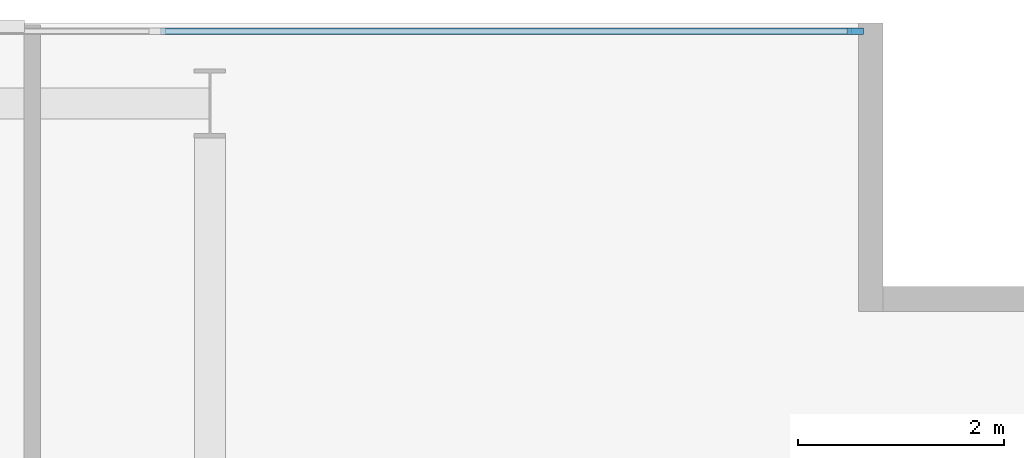
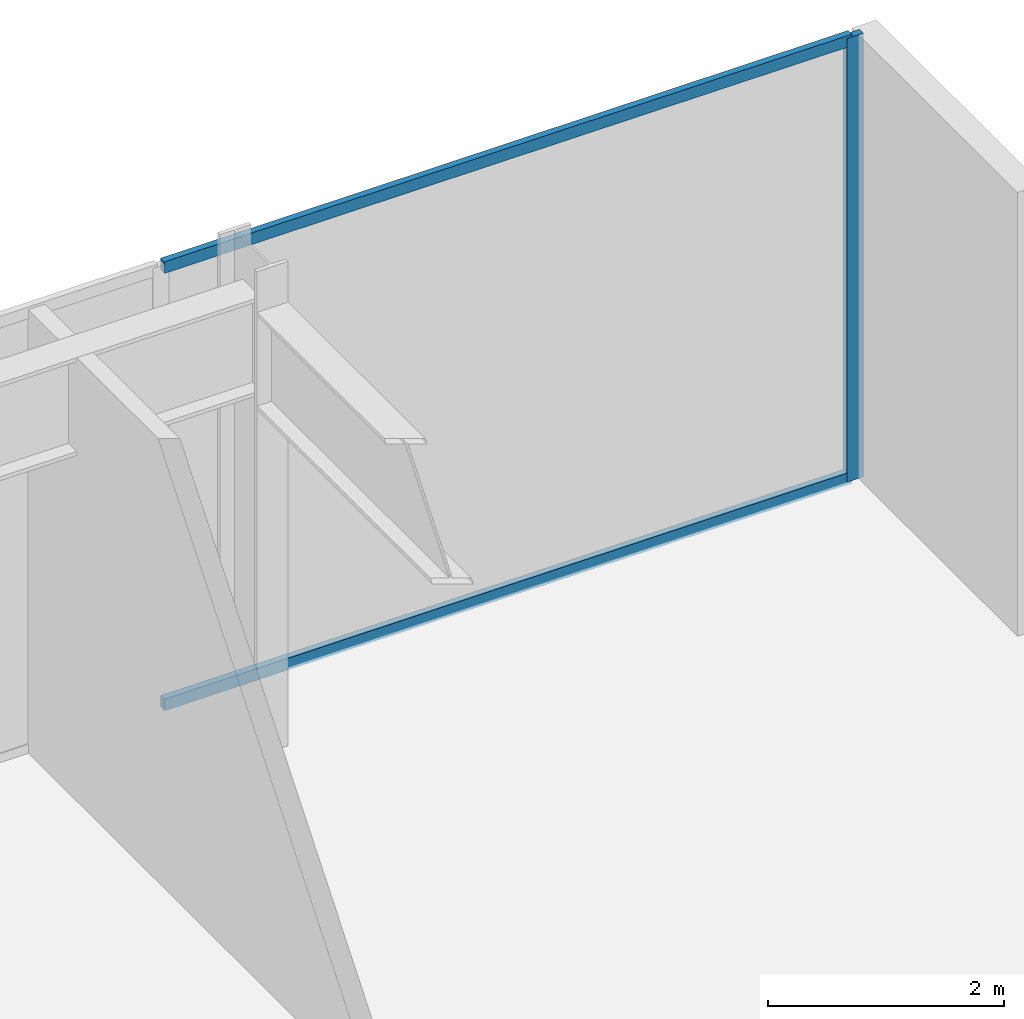
# One storey, part 13 of 21: 3 members, 1 element without a shape of its own.
"""IFC4 building model written with IfcOpenShell, lengths in metres."""

from ifc_helpers import new_model, si_unit, direction, frame, origin, origin_2d, place, context, subcontext, project, spatial, rectangle, extrude, material, layer, layer_set, material_profile, profile_set, type_object, element, aggregate, save


model = new_model("IFC4")

# Units and contexts
model_context = context("Model", 3, precision=1e-05, world=origin(), true_north=direction((0.0, 1.0)))
body_context = subcontext(model_context, "Body", "Model", "MODEL_VIEW")
ifc_project = project(units=[si_unit("LENGTHUNIT", "METRE"), si_unit("AREAUNIT", "SQUARE_METRE"), si_unit("VOLUMEUNIT", "CUBIC_METRE"), si_unit("PLANEANGLEUNIT", "RADIAN"), si_unit("MASSUNIT", "GRAM", prefix="KILO")], contexts=[model_context])

# Site, building, storey
site_placement = place(None, origin())
site = spatial("IfcSite", under=ifc_project, at=site_placement, CompositionType="ELEMENT")
building_placement = place(site_placement, origin())
building = spatial("IfcBuilding", under=site, at=building_placement, Name="Putna Gate Headquarters", CompositionType="ELEMENT")
storey_placement = place(building_placement, frame((0.0, 0.0, 315.39990234375)))
storey = spatial("IfcBuildingStorey", under=building, at=storey_placement, Name="L79", CompositionType="ELEMENT", Elevation=315.39990234375)

# Curtain wall, members
ifc_material_1 = material(Name="Anodised bronze aluminium curtain wall", Category="aluminium")
ifc_layer = layer(ifc_material_1, 0.159912109375)
ifc_layer_set = layer_set([ifc_layer], Name="Anodised bronze aluminium curtain wall")
curtain_wall_type = type_object("IfcCurtainWallType", Name="CW-SYS-CRN", PredefinedType="USERDEFINED", material=ifc_layer_set)
curtain_wall_placement = place(storey_placement, origin())
curtain_wall = element("IfcCurtainWall", 1, at=curtain_wall_placement, inside=storey, type_object=curtain_wall_type, Name="L79 Acoustic Louvre North Enclosure", ObjectType="STICK CURTAIN WALL", PredefinedType="USERDEFINED")
ifc_material_2 = material(Name="Anodised bronze aluminium EN AW-6060", Category="aluminium")
ifc_material_profile_1 = material_profile(ifc_material_2, rectangle(XDim=0.06494140625, YDim=0.159912109375, at=origin_2d()), Name="Anodised bronze aluminium EN AW-6060")
ifc_profile_set_1 = profile_set([ifc_material_profile_1], Name="Anodised bronze aluminium EN AW-6060")
member_type_1 = type_object("IfcMemberType", Name="MULL-CWM-CR", PredefinedType="MULLION", material=ifc_profile_set_1)
member_1_placement = place(storey_placement, frame((71.267578125, 46.820068359375, 0.0), z_axis=(0.0, 0.0, 1.0), x_axis=(0.0, 1.0, 0.0)))
member_1 = element("IfcMember", 2, at=member_1_placement, type_object=member_type_1, Name="CWS-CR mullion 10", PredefinedType="MULLION", context=body_context, shape_type="SweptSolid", body=[
    extrude(rectangle(XDim=0.06494140625, YDim=0.159912109375, at=origin_2d()), origin(), (0.0, 0.0, 1.0), 4.580078125),
])
ifc_material_profile_2 = material_profile(ifc_material_2, rectangle(XDim=0.06494140625, YDim=0.1201171875, at=origin_2d()), Name="Anodised bronze aluminium EN AW-6060")
ifc_profile_set_2 = profile_set([ifc_material_profile_2], Name="Anodised bronze aluminium EN AW-6060")
member_type_2 = type_object("IfcMemberType", Name="TRAN-CWT-CR", PredefinedType="USERDEFINED", material=ifc_profile_set_2)
member_2_placement = place(storey_placement, frame((64.521484375, 46.820068359375, 0.03271484375), z_axis=(1.0, 0.0, 0.0), x_axis=(0.0, 1.0, 0.0)))
member_2 = element("IfcMember", 3, at=member_2_placement, type_object=member_type_2, Name="CWS-CR transom 9.1", ObjectType="TRANSOM", PredefinedType="USERDEFINED", context=body_context, shape_type="SweptSolid", body=[
    extrude(rectangle(XDim=0.06494140625, YDim=0.1201171875, at=origin_2d()), origin(), (0.0, 0.0, 1.0), 6.713623046875),
])
member_3_placement = place(storey_placement, frame((64.521484375, 46.820068359375, 4.547607421875), z_axis=(1.0, 0.0, 0.0), x_axis=(0.0, 1.0, 0.0)))
member_3 = element("IfcMember", 4, at=member_3_placement, type_object=member_type_2, Name="CWS-CR transom 9.2", ObjectType="TRANSOM", PredefinedType="USERDEFINED", context=body_context, shape_type="SweptSolid", body=[
    extrude(rectangle(XDim=0.06494140625, YDim=0.1201171875, at=origin_2d()), origin(), (0.0, 0.0, 1.0), 6.713623046875),
])
aggregate(curtain_wall, [member_1, member_2, member_3])

save(model, "model.ifc")
